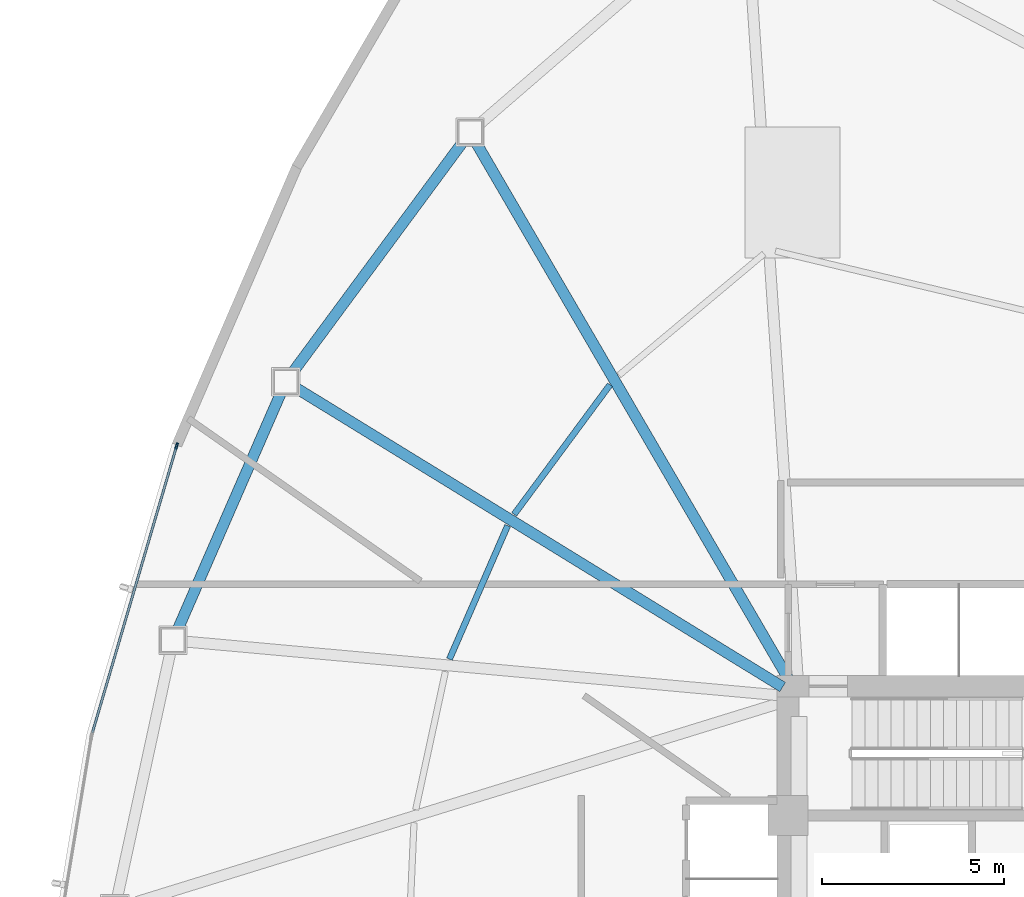
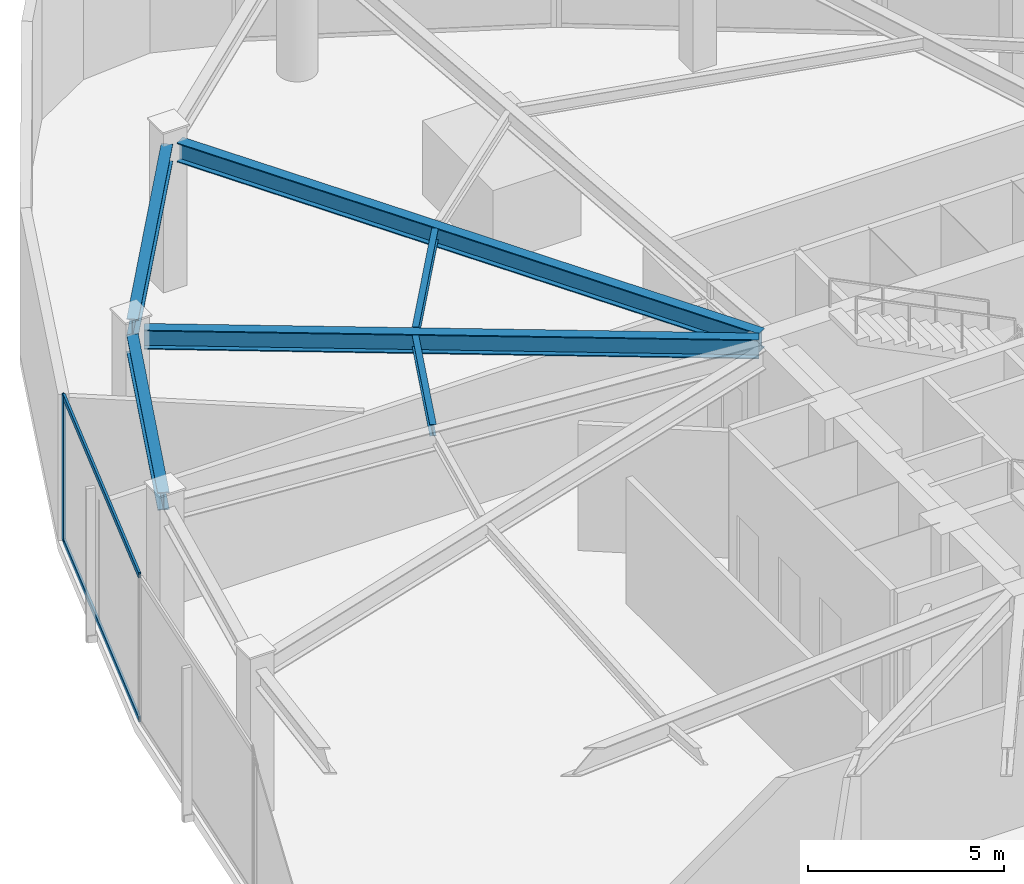
# One storey, part 7 of 16: 6 beams, 3 members, 1 element without a shape of its own.
"""IFC4 building model written with IfcOpenShell, lengths in metres."""

from ifc_helpers import new_model, si_unit, direction, frame, origin, origin_2d, place, context, subcontext, project, spatial, hollow_rectangle, i_section, extrude, source, transform, mapped, material, layer, layer_set, material_profile, profile_set, type_object, type_shapes, element, aggregate, save


model = new_model("IFC4")

# Units and contexts
model_context = context("Model", 3, precision=1e-05, world=origin(), true_north=direction((0.0, 1.0)))
body_context = subcontext(model_context, "Body", "Model", "MODEL_VIEW")
ifc_project = project(units=[si_unit("LENGTHUNIT", "METRE"), si_unit("AREAUNIT", "SQUARE_METRE"), si_unit("VOLUMEUNIT", "CUBIC_METRE"), si_unit("PLANEANGLEUNIT", "RADIAN"), si_unit("MASSUNIT", "GRAM", prefix="KILO")], contexts=[model_context])

# Site, building, storey
site_placement = place(None, origin())
site = spatial("IfcSite", under=ifc_project, at=site_placement, CompositionType="ELEMENT")
building_placement = place(site_placement, origin())
building = spatial("IfcBuilding", under=site, at=building_placement, Name="Tavelor Broadcast Tower", CompositionType="ELEMENT")
storey_placement = place(building_placement, frame((0.0, 0.0, 97.800048828125)))
storey = spatial("IfcBuildingStorey", under=building, at=storey_placement, Name="L23", CompositionType="ELEMENT", Elevation=97.800048828125)

# Beams
ifc_material_1 = material(Name="Steel S355", Category="steel")
ifc_material_profile_1 = material_profile(ifc_material_1, i_section(OverallWidth=0.169921875, OverallDepth=0.360107421875, WebThickness=0.008056640625, FlangeThickness=0.0126953125, at=origin_2d()), Name="IPE 360")
ifc_profile_set_1 = profile_set([ifc_material_profile_1], Name="Steel S355")
beam_type_1 = type_object("IfcBeamType", Name="Composite Floor Joist T2 IPE 360", PredefinedType="JOIST", material=ifc_profile_set_1)
beam_1_placement = place(storey_placement, frame((38.20556640625, 59.7880859375, 4.369873046875), z_axis=(-0.594699209794, -0.803948288057, 0.0), x_axis=(0.803948288057, -0.594699209794, 0.0)))
element("IfcBeam", 1, at=beam_1_placement, inside=storey, type_object=beam_type_1, Name="L23 Secondary Composite Floor Joist 02", PredefinedType="JOIST", context=body_context, shape_type="SweptSolid", body=[
    extrude(i_section(OverallWidth=0.169921875, OverallDepth=0.360107421875, WebThickness=0.008056640625, FlangeThickness=0.0126953125, at=origin_2d()), origin(), (0.0, 0.0, 1.0), 4.432373046875),
])
beam_2_placement = place(storey_placement, frame((35.3896484375, 55.9130859375, 4.369873046875), z_axis=(-0.399446150725, -0.916756659464, 0.0), x_axis=(0.916756659464, -0.399446150725, 0.0)))
element("IfcBeam", 2, at=beam_2_placement, inside=storey, type_object=beam_type_1, Name="L23 Secondary Composite Floor Joist 03", PredefinedType="JOIST", context=body_context, shape_type="SweptSolid", body=[
    extrude(i_section(OverallWidth=0.169921875, OverallDepth=0.360107421875, WebThickness=0.008056640625, FlangeThickness=0.0126953125, at=origin_2d()), origin(), (0.0, 0.0, 1.0), 4.00390625),
])
ifc_material_profile_2 = material_profile(ifc_material_1, i_section(OverallWidth=0.300048828125, OverallDepth=0.550048828125, WebThickness=0.014892578125, FlangeThickness=0.029052734375, at=origin_2d()), Name="HEB 550")
ifc_profile_set_2 = profile_set([ifc_material_profile_2], Name="Steel S355")
beam_type_2 = type_object("IfcBeamType", Name="Perimeter Spandrel Beam T2 HEB 550", PredefinedType="SPANDREL", material=ifc_profile_set_2)
beam_3_placement = place(storey_placement, frame((34.156494140625, 66.45751953125, 4.27490234375), z_axis=(-0.59411824878, -0.804377713805, 0.0), x_axis=(0.804377713805, -0.59411824878, 0.0)))
element("IfcBeam", 3, at=beam_3_placement, inside=storey, type_object=beam_type_2, Name="L23 Framed-Tube Ring Spandrel 02", PredefinedType="SPANDREL", context=body_context, shape_type="SweptSolid", body=[
    extrude(i_section(OverallWidth=0.300048828125, OverallDepth=0.550048828125, WebThickness=0.014892578125, FlangeThickness=0.029052734375, at=origin_2d()), origin(), (0.0, 0.0, 1.0), 7.8515625),
])
beam_4_placement = place(storey_placement, frame((29.157958984375, 59.5634765625, 4.27490234375), z_axis=(-0.399859236649, -0.916576560287, 0.0), x_axis=(0.916576560287, -0.399859236649, 0.0)))
element("IfcBeam", 4, at=beam_4_placement, inside=storey, type_object=beam_type_2, Name="L23 Framed-Tube Ring Spandrel 03", PredefinedType="SPANDREL", context=body_context, shape_type="SweptSolid", body=[
    extrude(i_section(OverallWidth=0.300048828125, OverallDepth=0.550048828125, WebThickness=0.014892578125, FlangeThickness=0.029052734375, at=origin_2d()), origin(), (0.0, 0.0, 1.0), 7.088623046875),
])
ifc_material_profile_3 = material_profile(ifc_material_1, i_section(OverallWidth=0.300048828125, OverallDepth=0.60009765625, WebThickness=0.015380859375, FlangeThickness=0.030029296875, at=origin_2d()), Name="HEB 600")
ifc_profile_set_3 = profile_set([ifc_material_profile_3], Name="Steel S355")
beam_type_3 = type_object("IfcBeamType", Name="Radial Floor Girder T2 HEB 600", PredefinedType="BEAM", material=ifc_profile_set_3)
beam_5_placement = place(storey_placement, frame((43.13427734375, 51.65625, 4.25), z_axis=(-0.503292320279, 0.864116219237, 0.0), x_axis=(-0.864116219237, -0.503292320279, 0.0)))
element("IfcBeam", 5, at=beam_5_placement, inside=storey, type_object=beam_type_3, Name="L23 Radial Primary Floor Girder 02", PredefinedType="BEAM", context=body_context, shape_type="SweptSolid", body=[
    extrude(i_section(OverallWidth=0.300048828125, OverallDepth=0.60009765625, WebThickness=0.015380859375, FlangeThickness=0.030029296875, at=origin_2d()), origin(), (0.0, 0.0, 1.0), 17.105712890625),
])
beam_6_placement = place(storey_placement, frame((42.9501953125, 51.4765625, 4.25), z_axis=(-0.851937509834, 0.523643465859, 0.0), x_axis=(-0.523643465859, -0.851937509834, 0.0)))
element("IfcBeam", 6, at=beam_6_placement, inside=storey, type_object=beam_type_3, Name="L23 Radial Primary Floor Girder 03", PredefinedType="BEAM", context=body_context, shape_type="SweptSolid", body=[
    extrude(i_section(OverallWidth=0.300048828125, OverallDepth=0.60009765625, WebThickness=0.015380859375, FlangeThickness=0.030029296875, at=origin_2d()), origin(), (0.0, 0.0, 1.0), 15.69580078125),
])

# Curtain wall, members
ifc_material_2 = material(Name="Architectural Anodized Aluminium", Category="aluminium")
ifc_layer = layer(ifc_material_2, 0.179931640625)
ifc_layer_set = layer_set([ifc_layer], Name="Architectural Anodized Aluminium")
curtain_wall_type = type_object("IfcCurtainWallType", Name="Tower Low-Zone Unitised Curtain Wall CW02", PredefinedType="NOTDEFINED", material=ifc_layer_set)
curtain_wall_placement = place(storey_placement, origin())
curtain_wall = element("IfcCurtainWall", 7, at=curtain_wall_placement, inside=storey, type_object=curtain_wall_type, Name="L23 Curtain Wall CW02 Run 229", PredefinedType="NOTDEFINED")
ifc_material_profile_4 = material_profile(ifc_material_2, hollow_rectangle(XDim=0.06494140625, YDim=0.179931640625, WallThickness=0.02197265625, at=origin_2d()), Name="RHS 65x180x22")
ifc_profile_set_4 = profile_set([ifc_material_profile_4], Name="Architectural Anodized Aluminium")
member_type_1 = type_object("IfcMemberType", Name="CW02 Extruded Aluminium Mullion 65x180", PredefinedType="MULLION", material=ifc_profile_set_4)
shared_shape_1 = source(origin(), body_context, "Body", "SweptSolid", [
    extrude(hollow_rectangle(XDim=0.06494140625, YDim=0.179931640625, WallThickness=0.02197265625, at=origin_2d()), origin(), (0.0, 0.0, 1.0), 4.550048828125),
])
type_shapes(member_type_1, [shared_shape_1])
member_1_placement = place(storey_placement, frame((26.2900390625, 58.1025390625, 0.0), z_axis=(0.0, 0.0, 1.0), x_axis=(0.959433266232, -0.281935821858, 0.0)))
member_1 = element("IfcMember", 8, at=member_1_placement, type_object=member_type_1, Name="CW02 mullion 1", PredefinedType="MULLION", context=body_context, shape_type="MappedRepresentation", body=[
    mapped(shared_shape_1, transform((0.0, 0.0, 0.0), scale=1.0)),
])
ifc_material_profile_5 = material_profile(ifc_material_2, hollow_rectangle(XDim=0.06494140625, YDim=0.179931640625, WallThickness=0.02197265625, at=origin_2d()), Name="RHS 65x180x22")
ifc_profile_set_5 = profile_set([ifc_material_profile_5], Name="Architectural Anodized Aluminium")
member_type_2 = type_object("IfcMemberType", Name="CW02 Extruded Aluminium Transom 65x180", PredefinedType="USERDEFINED", material=ifc_profile_set_5)
shared_shape_2 = source(origin(), body_context, "Body", "SweptSolid", [
    extrude(hollow_rectangle(XDim=0.06494140625, YDim=0.179931640625, WallThickness=0.02197265625, at=origin_2d()), origin(), (0.0, 0.0, 1.0), 8.18505859375),
])
type_shapes(member_type_2, [shared_shape_2])
member_2_placement = place(storey_placement, frame((26.281005859375, 58.0712890625, 0.032470703125), z_axis=(-0.281930544383, -0.959434817037, 0.0), x_axis=(0.959434817037, -0.281930544383, 0.0)))
member_2 = element("IfcMember", 9, at=member_2_placement, type_object=member_type_2, Name="CW02 transom 1.1", ObjectType="TRANSOM", PredefinedType="USERDEFINED", context=body_context, shape_type="MappedRepresentation", body=[
    mapped(shared_shape_2, transform((0.0, 0.0, 0.0), scale=1.0)),
])
member_3_placement = place(storey_placement, frame((26.281005859375, 58.0712890625, 4.517333984375), z_axis=(-0.281930544383, -0.959434817037, 0.0), x_axis=(0.959434817037, -0.281930544383, 0.0)))
member_3 = element("IfcMember", 10, at=member_3_placement, type_object=member_type_2, Name="CW02 transom 1.2", ObjectType="TRANSOM", PredefinedType="USERDEFINED", context=body_context, shape_type="MappedRepresentation", body=[
    mapped(shared_shape_2, transform((0.0, 0.0, 0.0), scale=1.0)),
])
aggregate(curtain_wall, [member_1, member_2, member_3])

save(model, "model.ifc")
